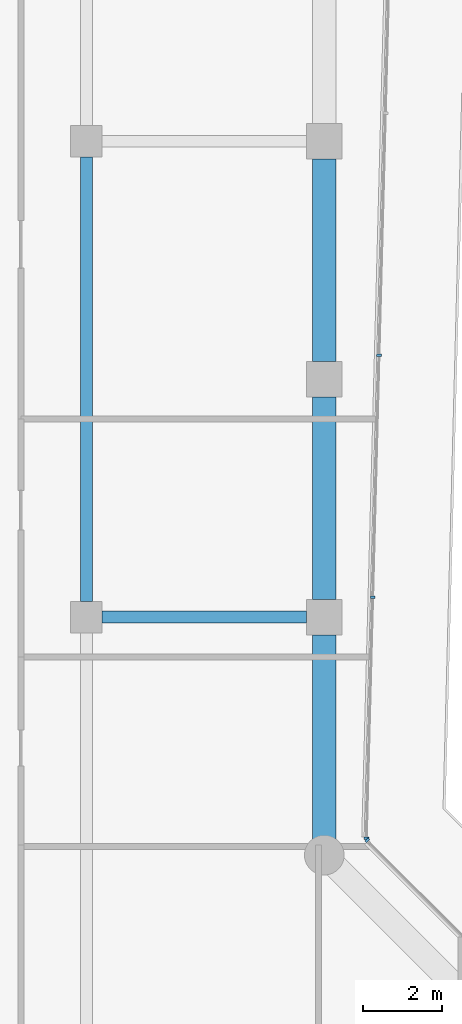
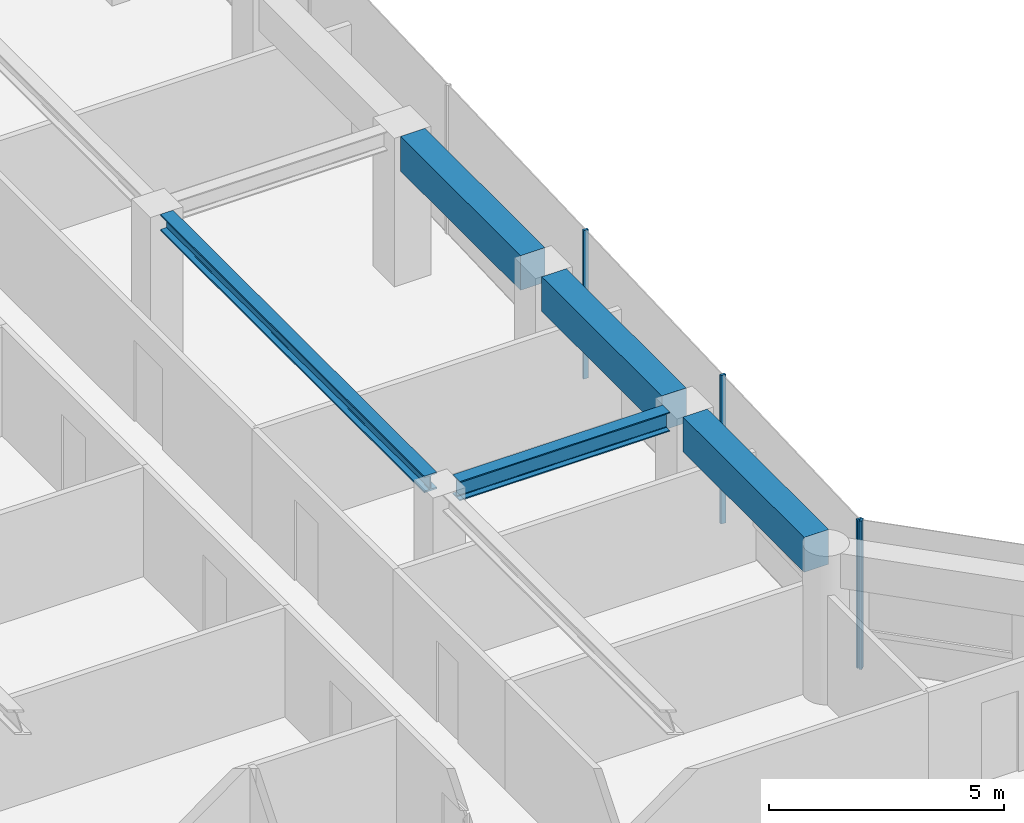
# One storey, part 10 of 23: 5 beams, 4 members, 2 elements without a shape of their own.
"""IFC4 building model written with IfcOpenShell, lengths in metres."""

import ifcopenshell
import ifcopenshell.guid

model = None  # the IFC model being written
_history = None  # IfcOwnerHistory: only IFC2X3 demands one
_inside = {}  # id of a spatial element -> (the spatial element, [elements in it])
_under = {}  # id of a project, library or spatial element -> (it, [spatial elements below it])
_declared = {}  # id of a project -> (the project, [libraries it declares])
_typed = {}  # id of a type object -> (the type object, [elements of that type])
_made_of = {}  # id of a material, layer set ... -> (it, [elements and type objects made of it])


def new_model(schema):
    """Start an empty IFC model of exactly this schema.

    Asked for "IFC4X3", IfcOpenShell would pick the latest addendum, in which some entities
    have other attributes; the version numbers below select the first issue.
    IFC2X3 requires an IfcOwnerHistory on every rooted entity: one is made here for all.
    """
    global model, _history
    if schema == "IFC4X3":
        model = ifcopenshell.file(schema_version=(4, 3, 0, 0))
    else:
        model = ifcopenshell.file(schema=schema)
    _inside.clear()
    _under.clear()
    _declared.clear()
    _typed.clear()
    _made_of.clear()
    _history = None
    if model.schema == "IFC2X3":
        org = make("IfcOrganization", Name="unknown")
        user = make(
            "IfcPersonAndOrganization",
            ThePerson=make("IfcPerson", FamilyName="unknown"),
            TheOrganization=org,
        )
        app = make(
            "IfcApplication",
            ApplicationDeveloper=org,
            Version="unknown",
            ApplicationFullName="unknown",
            ApplicationIdentifier="unknown",
        )
        _history = make(
            "IfcOwnerHistory",
            OwningUser=user,
            OwningApplication=app,
            ChangeAction="ADDED",
            CreationDate=0,
        )
    return model


def make(cls, **values):
    """One entity of the class cls with the attributes given. An attribute that is None is left unset."""
    return model.create_entity(
        cls, **{name: value for name, value in values.items() if value is not None}
    )


def rooted(cls, **values):
    """An entity with a GlobalId (a new one), such as an element, a storey or a relation."""
    return make(cls, GlobalId=ifcopenshell.guid.new(), OwnerHistory=_history, **values)


def si_unit(unit_type, name, prefix=None):
    """IfcSIUnit, for example si_unit("LENGTHUNIT", "METRE", prefix="MILLI")."""
    return make("IfcSIUnit", UnitType=unit_type, Prefix=prefix, Name=name)


def assignment(units):
    """IfcUnitAssignment: the units of a project."""
    return None if units is None else make("IfcUnitAssignment", Units=units)


def point(xyz):
    """IfcCartesianPoint."""
    return None if xyz is None else make("IfcCartesianPoint", Coordinates=xyz)


def direction(xyz):
    """IfcDirection."""
    return None if xyz is None else make("IfcDirection", DirectionRatios=xyz)


def frame(location, z_axis=None, x_axis=None):
    """IfcAxis2Placement3D, a coordinate frame: its origin and axes. An axis left out is left unset."""
    return make(
        "IfcAxis2Placement3D",
        Location=point(location),
        Axis=direction(z_axis),
        RefDirection=direction(x_axis),
    )


def frame_2d(location, x_axis=None):
    """IfcAxis2Placement2D, a coordinate frame in the plane: its origin and x axis."""
    return make(
        "IfcAxis2Placement2D", Location=point(location), RefDirection=direction(x_axis)
    )


def origin():
    """The frame at (0, 0, 0) with its axes left unset."""
    return frame((0.0, 0.0, 0.0))


def origin_2d():
    """The frame at (0, 0) in the plane with its x axis left unset."""
    return frame_2d((0.0, 0.0))


def place(relative_to, where):
    """IfcLocalPlacement: puts the frame where relative to a parent placement (None: the world)."""
    return make(
        "IfcLocalPlacement", PlacementRelTo=relative_to, RelativePlacement=where
    )


def context(
    kind, dimensions, precision=None, world=None, true_north=None, identifier=None
):
    """IfcGeometricRepresentationContext, for example the 3D "Model" context."""
    return make(
        "IfcGeometricRepresentationContext",
        ContextIdentifier=identifier,
        ContextType=kind,
        CoordinateSpaceDimension=dimensions,
        Precision=precision,
        WorldCoordinateSystem=world,
        TrueNorth=true_north,
    )


def subcontext(parent, identifier, kind, view, scale=None):
    """IfcGeometricRepresentationSubContext, for example "Body" below "Model"."""
    return make(
        "IfcGeometricRepresentationSubContext",
        ContextIdentifier=identifier,
        ContextType=kind,
        ParentContext=parent,
        TargetScale=scale,
        TargetView=view,
    )


def project(units=None, contexts=None):
    """IfcProject with its units and contexts."""
    return rooted(
        "IfcProject",
        Name="project",
        RepresentationContexts=contexts,
        UnitsInContext=assignment(units),
    )


def spatial(cls, under=None, at=None, **own):
    """A site, building, storey or space (cls), placed at a placement, below another one or the project."""
    s = rooted(cls, ObjectPlacement=at, **own)
    if under is not None:
        _under.setdefault(under.id(), (under, []))[1].append(s)
    return s


def profile(cls, at=None, kind="AREA", **sizes):
    """A parametric profile (cls). Its sizes go by their IFC names, for example OverallWidth=200.0."""
    return make(cls, ProfileType=kind, Position=at, **sizes)


def rectangle(**sizes):
    """IfcRectangleProfileDef."""
    return profile("IfcRectangleProfileDef", **sizes)


def i_section(**sizes):
    """IfcIShapeProfileDef."""
    return profile("IfcIShapeProfileDef", **sizes)


def extrude(swept, where, along, depth):
    """IfcExtrudedAreaSolid: the profile swept, set in the frame where, extruded along a direction by depth."""
    return make(
        "IfcExtrudedAreaSolid",
        SweptArea=swept,
        Position=where,
        ExtrudedDirection=direction(along),
        Depth=depth,
    )


def shape(context_of_items, identifier, shape_type, items):
    """IfcShapeRepresentation: the items that make up one representation, for example the "Body"."""
    return make(
        "IfcShapeRepresentation",
        ContextOfItems=context_of_items,
        RepresentationIdentifier=identifier,
        RepresentationType=shape_type,
        Items=items,
    )


def material(Name=None, Category=None):
    """IfcMaterial."""
    return make("IfcMaterial", Name=Name, Category=Category)


def layer(
    of_material, thickness, ventilated=None, Name=None, Category=None, Priority=None
):
    """IfcMaterialLayer: one layer of a wall or slab, of a material (None: an air gap)."""
    return make(
        "IfcMaterialLayer",
        Material=of_material,
        LayerThickness=thickness,
        IsVentilated=ventilated,
        Name=Name,
        Category=Category,
        Priority=Priority,
    )


def layer_set(layers, Name=None):
    """IfcMaterialLayerSet."""
    return make("IfcMaterialLayerSet", MaterialLayers=layers, LayerSetName=Name)


def material_profile(
    of_material, cross_section, Name=None, Category=None, Priority=None
):
    """IfcMaterialProfile: a cross section and its material."""
    return make(
        "IfcMaterialProfile",
        Name=Name,
        Material=of_material,
        Profile=cross_section,
        Priority=Priority,
        Category=Category,
    )


def profile_set(profiles, Name=None, composite=None):
    """IfcMaterialProfileSet."""
    return make(
        "IfcMaterialProfileSet",
        Name=Name,
        MaterialProfiles=profiles,
        CompositeProfile=composite,
    )


def made_of(thing, what):
    """Note that an element or type object is made of a material, layer set ...; save() writes the relation."""
    if what is not None:
        _made_of.setdefault(what.id(), (what, []))[1].append(thing)
    return thing


def type_object(cls, material=None, **own):
    """A type object (cls), such as IfcWallType, which elements share."""
    return made_of(rooted(cls, **own), material)


def element(
    cls,
    number,
    at=None,
    inside=None,
    cuts=None,
    type_object=None,
    material=None,
    context=None,
    identifier="Body",
    shape_type=None,
    held_by="IfcProductDefinitionShape",
    body=None,
    shapes=None,
    **own,
):
    """One element of the class cls, such as IfcWall. Its Tag is "e" and its number.

    at: its placement. inside: the storey or other place that contains it. cuts: it is an
    opening in that element (IfcRelVoidsElement). A single representation is given by context,
    identifier, shape_type and body (its items); several are given by shapes. held_by: the class
    of the entity that holds the representations. save() writes the other relations.
    """
    e = rooted(cls, Tag="e%d" % number, ObjectPlacement=at, **own)
    if body is not None:
        shapes = [shape(context, identifier, shape_type, body)]
    if shapes is not None:
        e.Representation = make(held_by, Representations=shapes)
    if inside is not None:
        _inside.setdefault(inside.id(), (inside, []))[1].append(e)
    if cuts is not None:
        rooted(
            "IfcRelVoidsElement", RelatingBuildingElement=cuts, RelatedOpeningElement=e
        )
    if type_object is not None:
        _typed.setdefault(type_object.id(), (type_object, []))[1].append(e)
    return made_of(e, material)


def aggregate(whole, parts):
    """IfcRelAggregates: a whole, such as a stair, and the parts it consists of."""
    return rooted("IfcRelAggregates", RelatingObject=whole, RelatedObjects=parts)


def save(model, path):
    """Write the relations noted so far, then the file.

    IfcRelAggregates (storeys below a building ...), IfcRelContainedInSpatialStructure (elements
    in a storey), IfcRelDefinesByType, IfcRelAssociatesMaterial and IfcRelDeclares: one each for
    every whole, place, type object, material and project.
    """
    for whole, parts in _under.values():
        aggregate(whole, parts)
    for where, things in _inside.values():
        rooted(
            "IfcRelContainedInSpatialStructure",
            RelatedElements=things,
            RelatingStructure=where,
        )
    for kind, things in _typed.values():
        rooted("IfcRelDefinesByType", RelatedObjects=things, RelatingType=kind)
    for what, things in _made_of.values():
        rooted("IfcRelAssociatesMaterial", RelatedObjects=things, RelatingMaterial=what)
    for by, libraries in _declared.values():
        rooted("IfcRelDeclares", RelatingContext=by, RelatedDefinitions=libraries)
    model.write(path)


model = new_model("IFC4")

# Units and contexts
model_context = context("Model", 3, precision=1e-05, world=origin(), true_north=direction((0.0, 1.0)))
body_context = subcontext(model_context, "Body", "Model", "MODEL_VIEW")
ifc_project = project(units=[si_unit("LENGTHUNIT", "METRE"), si_unit("AREAUNIT", "SQUARE_METRE"), si_unit("VOLUMEUNIT", "CUBIC_METRE"), si_unit("PLANEANGLEUNIT", "RADIAN"), si_unit("MASSUNIT", "GRAM", prefix="KILO")], contexts=[model_context])

# Site, building, storey
site_placement = place(None, origin())
site = spatial("IfcSite", under=ifc_project, at=site_placement, CompositionType="ELEMENT")
building_placement = place(site_placement, origin())
building = spatial("IfcBuilding", under=site, at=building_placement, Name="Welwitschia Terrace Campus", CompositionType="ELEMENT")
storey_placement = place(building_placement, frame((0.0, 0.0, 117.199951171875)))
storey = spatial("IfcBuildingStorey", under=building, at=storey_placement, Name="L26", CompositionType="ELEMENT", Elevation=117.199951171875)

# Beam
ifc_material_1 = material(Name="Steel S355", Category="steel")
ifc_material_profile_1 = material_profile(ifc_material_1, i_section(OverallWidth=0.306884765625, OverallDepth=0.431884765625, WebThickness=0.02099609375, FlangeThickness=0.0400390625, FilletRadius=0.027099609375, at=origin_2d()))
ifc_profile_set_1 = profile_set([ifc_material_profile_1], Name="Steel S355")
beam_type_1 = type_object("IfcBeamType", Name="Interior girder HE 400 M", PredefinedType="BEAM", material=ifc_profile_set_1)
beam_1_placement = place(storey_placement, frame((18.0, 40.400390625, 3.634033203125), z_axis=(0.0, 1.0, 0.0), x_axis=(-1.0, 0.0, 0.0)))
element("IfcBeam", 1, at=beam_1_placement, inside=storey, type_object=beam_type_1, Name="Girder GB3", PredefinedType="BEAM", context=body_context, shape_type="SweptSolid", body=[
    extrude(i_section(OverallWidth=0.306884765625, OverallDepth=0.431884765625, WebThickness=0.02099609375, FlangeThickness=0.0400390625, FilletRadius=0.027099609375, at=origin_2d()), origin(), (0.0, 0.0, 1.0), 11.19921875),
])

# Curtain wall, member
ifc_material_2 = material(Name="Bronze anodised aluminium", Category="aluminium")
ifc_layer = layer(ifc_material_2, 0.1201171875)
ifc_layer_set = layer_set([ifc_layer], Name="Bronze anodised aluminium")
curtain_wall_type = type_object("IfcCurtainWallType", Name="Curtain wall CW2 tower 6000", PredefinedType="NOTDEFINED", material=ifc_layer_set)
curtain_wall_1_placement = place(storey_placement, origin())
curtain_wall_1 = element("IfcCurtainWall", 2, at=curtain_wall_1_placement, inside=storey, type_object=curtain_wall_type, Name="CW L26.9.0", PredefinedType="NOTDEFINED")
ifc_material_3 = material(Name="Bronze anodised aluminium", Category="aluminium")
ifc_material_profile_2 = material_profile(ifc_material_3, rectangle(XDim=0.1201171875, YDim=0.06005859375, at=origin_2d()))
ifc_profile_set_2 = profile_set([ifc_material_profile_2], Name="Bronze anodised aluminium")
member_type = type_object("IfcMemberType", Name="Mullion 60x120", PredefinedType="MULLION", material=ifc_profile_set_2)
member_1_placement = place(storey_placement, frame((25.083740234375, 34.372802734375, 0.0), z_axis=(0.0, 0.0, 1.0), x_axis=(-0.707106781187, -0.707106781187, 0.0)))
member_1 = element("IfcMember", 3, at=member_1_placement, type_object=member_type, Name="Mullion L26.9.0.1", PredefinedType="MULLION", context=body_context, shape_type="SweptSolid", body=[
    extrude(rectangle(XDim=0.1201171875, YDim=0.06005859375, at=origin_2d()), origin(), (0.0, 0.0, 1.0), 3.85009765625),
])
aggregate(curtain_wall_1, [member_1])

# Curtain wall, members
curtain_wall_2_placement = place(storey_placement, origin())
curtain_wall_2 = element("IfcCurtainWall", 4, at=curtain_wall_2_placement, inside=storey, type_object=curtain_wall_type, Name="CW L26.10.0", PredefinedType="NOTDEFINED")
member_2_placement = place(storey_placement, frame((25.0634765625, 34.424072265625, 0.0), z_axis=(0.0, 0.0, 1.0), x_axis=(-0.999657324976, 0.026176948308, 0.0)))
member_2 = element("IfcMember", 5, at=member_2_placement, type_object=member_type, Name="Mullion L26.10.0.0", PredefinedType="MULLION", context=body_context, shape_type="SweptSolid", body=[
    extrude(rectangle(XDim=0.1201171875, YDim=0.06005859375, at=origin_2d()), origin(), (0.0, 0.0, 1.0), 3.85009765625),
])
member_3_placement = place(storey_placement, frame((25.222412109375, 40.5, 0.0), z_axis=(0.0, 0.0, 1.0), x_axis=(-0.999657324976, 0.026176948308, 0.0)))
member_3 = element("IfcMember", 6, at=member_3_placement, type_object=member_type, Name="Mullion L26.10.0.1", PredefinedType="MULLION", context=body_context, shape_type="SweptSolid", body=[
    extrude(rectangle(XDim=0.1201171875, YDim=0.06005859375, at=origin_2d()), origin(), (0.0, 0.0, 1.0), 3.85009765625),
])
member_4_placement = place(storey_placement, frame((25.38232421875, 46.60595703125, 0.0), z_axis=(0.0, 0.0, 1.0), x_axis=(-0.999657324976, 0.026176948308, 0.0)))
member_4 = element("IfcMember", 7, at=member_4_placement, type_object=member_type, Name="Mullion L26.10.0.2", PredefinedType="MULLION", context=body_context, shape_type="SweptSolid", body=[
    extrude(rectangle(XDim=0.1201171875, YDim=0.06005859375, at=origin_2d()), origin(), (0.0, 0.0, 1.0), 3.85009765625),
])
aggregate(curtain_wall_2, [member_2, member_3, member_4])

# Beams
ifc_material_4 = material(Name="Steel S355", Category="steel")
ifc_material_profile_3 = material_profile(ifc_material_4, i_section(OverallWidth=0.300048828125, OverallDepth=0.5, WebThickness=0.014404296875, FlangeThickness=0.028076171875, FilletRadius=0.027099609375, at=origin_2d()))
ifc_profile_set_3 = profile_set([ifc_material_profile_3], Name="Steel S355")
beam_type_2 = type_object("IfcBeamType", Name="Primary beam HE 500 B", PredefinedType="BEAM", material=ifc_profile_set_3)
beam_2_placement = place(storey_placement, frame((23.549560546875, 40.0, 3.60009765625), z_axis=(-1.0, 0.0, 0.0), x_axis=(0.0, -1.0, 0.0)))
element("IfcBeam", 8, at=beam_2_placement, inside=storey, type_object=beam_type_2, Name="Primary beam PB3", PredefinedType="BEAM", context=body_context, shape_type="SweptSolid", body=[
    extrude(i_section(OverallWidth=0.300048828125, OverallDepth=0.5, WebThickness=0.014404296875, FlangeThickness=0.028076171875, FilletRadius=0.027099609375, at=origin_2d()), origin(), (0.0, 0.0, 1.0), 5.149169921875),
])
ifc_material_5 = material(Name="Concrete C60/75", Category="concrete")
ifc_material_profile_4 = material_profile(ifc_material_5, rectangle(XDim=0.60009765625, YDim=0.89990234375, at=origin_2d()))
ifc_profile_set_4 = profile_set([ifc_material_profile_4], Name="Concrete C60/75")
beam_type_3 = type_object("IfcBeamType", Name="Ring spandrel 600x900", PredefinedType="SPANDREL", material=ifc_profile_set_4)
beam_3_placement = place(storey_placement, frame((24.0, 34.400390625, 3.400146484375), z_axis=(0.0, 1.0, 0.0), x_axis=(-1.0, 0.0, 0.0)))
element("IfcBeam", 9, at=beam_3_placement, inside=storey, type_object=beam_type_3, Name="Spandrel SP2", PredefinedType="SPANDREL", context=body_context, shape_type="SweptSolid", body=[
    extrude(rectangle(XDim=0.60009765625, YDim=0.89990234375, at=origin_2d()), origin(), (0.0, 0.0, 1.0), 5.149169921875),
])
for number, where, z_axis, x_axis, name in (
    (10, (24.0, 40.450439453125, 3.400146484375), (0.0, 1.0, 0.0), (-1.0, 0.0, 0.0), "Spandrel SP2"),
    (11, (24.0, 46.450439453125, 3.400146484375), (0.0, 1.0, 0.0), (-1.0, 0.0, 0.0), "Spandrel SP2"),
):
    element("IfcBeam", number, at=place(storey_placement, frame(where, z_axis=z_axis, x_axis=x_axis)), inside=storey, type_object=beam_type_3, Name=name, PredefinedType="SPANDREL", context=body_context, shape_type="SweptSolid", body=[
        extrude(rectangle(XDim=0.60009765625, YDim=0.89990234375, at=origin_2d()), origin(), (0.0, 0.0, 1.0), 5.09912109375),
    ])

save(model, "model.ifc")
